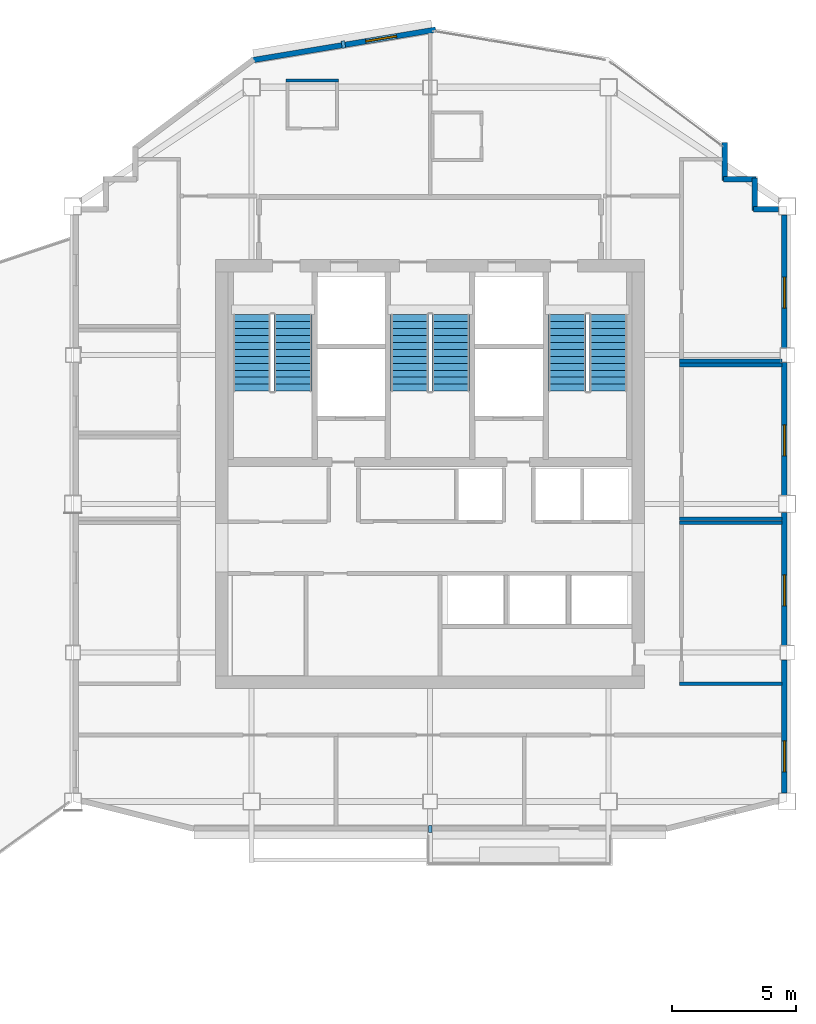
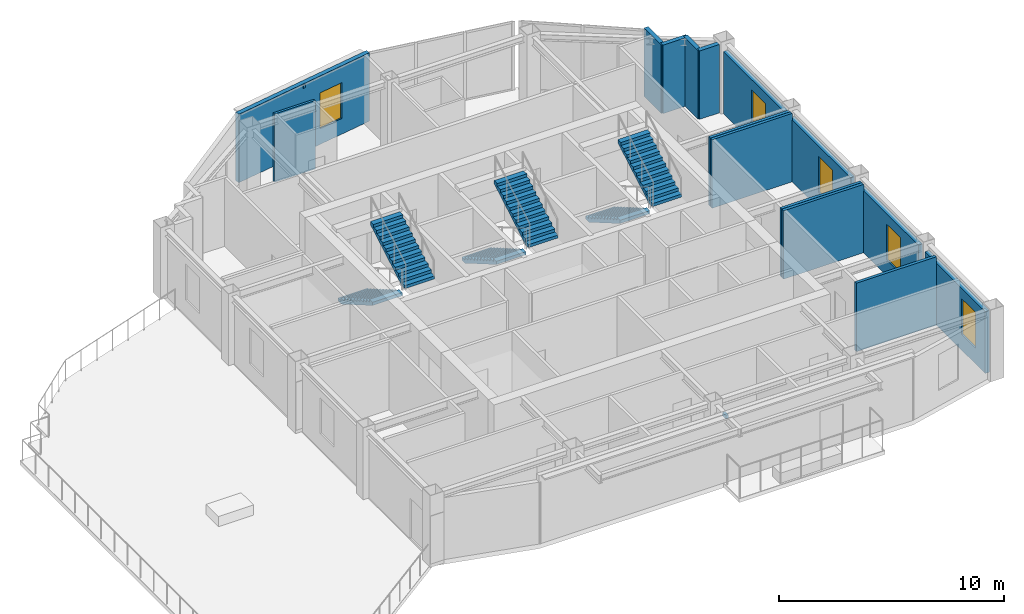
# One storey, part 10 of 12: 15 walls, 6 stair flights, 5 windows, 2 discrete accessories, 5 openings, 3 elements without a shape of their own.
"""IFC4 building model written with IfcOpenShell, lengths in metres."""

from ifc_helpers import new_model, si_unit, direction, frame, frame_2d, origin, origin_2d, place, context, subcontext, project, spatial, polyline, rectangle, outline, extrude, material, layer, layer_set, type_object, element, fill, aggregate, save


model = new_model("IFC4")

# Units and contexts
model_context = context("Model", 3, precision=1e-05, world=origin(), true_north=direction((0.0, 1.0)))
body_context = subcontext(model_context, "Body", "Model", "MODEL_VIEW")
ifc_project = project(units=[si_unit("LENGTHUNIT", "METRE"), si_unit("AREAUNIT", "SQUARE_METRE"), si_unit("VOLUMEUNIT", "CUBIC_METRE"), si_unit("PLANEANGLEUNIT", "RADIAN"), si_unit("MASSUNIT", "GRAM", prefix="KILO")], contexts=[model_context])

# Site, building, storey
site_placement = place(None, origin())
site = spatial("IfcSite", under=ifc_project, at=site_placement, CompositionType="ELEMENT")
building_placement = place(site_placement, origin())
building = spatial("IfcBuilding", under=site, at=building_placement, Name="Haolan Belvedere Tower", CompositionType="ELEMENT")
storey_placement = place(building_placement, frame((0.0, 0.0, 282.199951171875)))
storey = spatial("IfcBuildingStorey", under=building, at=storey_placement, Name="L71", CompositionType="ELEMENT", Elevation=282.199951171875)

# Wall, opening, window
ifc_material_1 = material(Name="Precast concrete C40/50", Category="concrete")
ifc_layer_1 = layer(ifc_material_1, 0.219970703125, Name="Precast concrete C40/50")
ifc_layer_set_1 = layer_set([ifc_layer_1], Name="Precast concrete C40/50")
wall_type_1 = type_object("IfcWallType", Name="WL-EXT-220", PredefinedType="SOLIDWALL", material=ifc_layer_set_1)
wall_1_placement = place(storey_placement, frame((52.68994140625, 21.94189453125, 0.0), z_axis=(0.0, 0.0, 1.0), x_axis=(0.0, 1.0, 0.0)))
wall_1 = element("IfcWall", 1, at=wall_1_placement, inside=storey, type_object=wall_type_1, Name="L71 pale-metal exterior spandrel wall 3.1", PredefinedType="SOLIDWALL", context=body_context, shape_type="SweptSolid", body=[
    extrude(rectangle(XDim=5.3662109375, YDim=0.219970703125, at=frame_2d((2.68310546875, 0.0))), origin(), (0.0, 0.0, 1.0), 3.364990234375),
])
opening_1_placement = place(wall_1_placement, frame((0.85302734375, 0.0, 0.85009765625)))
opening_1 = element("IfcOpeningElement", 2, at=opening_1_placement, cuts=wall_1, Name="Opening W-04", PredefinedType="OPENING", context=body_context, shape_type="SweptSolid", body=[
    extrude(rectangle(XDim=1.25, YDim=1.949951171875, at=frame_2d((0.625, 0.97509765625))), frame((0.0, 0.119873046875, 0.0), z_axis=(0.0, -1.0, 0.0), x_axis=(1.0, 0.0, 0.0)), (0.0, 0.0, 1.0), 0.239990234375),
])
ifc_material_2 = material(Name="Anodised aluminium 6063-T6 and Low-E glass", Category="aluminium")
window_type = type_object("IfcWindowType", Name="WN-DECO-Z4", PartitioningType="SINGLE_PANEL", PredefinedType="WINDOW", material=ifc_material_2)
window_1_placement = place(opening_1_placement, origin())
window_1 = element("IfcWindow", 3, at=window_1_placement, inside=storey, type_object=window_type, Name="L71 Art Deco chevron window 1", OverallHeight=1.949951171875, OverallWidth=1.25, PartitioningType="SINGLE_PANEL", PredefinedType="WINDOW", context=body_context, shape_type="SweptSolid", body=[
    extrude(rectangle(XDim=1.25, YDim=1.949951171875, at=frame_2d((0.625, 0.97509765625))), frame((0.0, 0.030029296875, 0.0), z_axis=(0.0, -1.0, 0.0), x_axis=(1.0, 0.0, 0.0)), (0.0, 0.0, 1.0), 0.06005859375),
])
fill(opening_1, window_1)

wall_2_placement = place(storey_placement, frame((52.68994140625, 27.89208984375, 0.0), z_axis=(0.0, 0.0, 1.0), x_axis=(0.0, 1.0, 0.0)))
wall_2 = element("IfcWall", 4, at=wall_2_placement, inside=storey, type_object=wall_type_1, Name="L71 pale-metal exterior spandrel wall 3.2", PredefinedType="SOLIDWALL", context=body_context, shape_type="SweptSolid", body=[
    extrude(rectangle(XDim=5.365966796875, YDim=0.219970703125, at=frame_2d((2.68310546875, 0.0))), origin(), (0.0, 0.0, 1.0), 3.364990234375),
])
opening_2_placement = place(wall_2_placement, frame((1.60009765625, 0.0, 0.85009765625)))
opening_2 = element("IfcOpeningElement", 5, at=opening_2_placement, cuts=wall_2, Name="Opening W-04", PredefinedType="OPENING", context=body_context, shape_type="SweptSolid", body=[
    extrude(rectangle(XDim=1.25, YDim=1.949951171875, at=frame_2d((0.625, 0.97509765625))), frame((0.0, 0.119873046875, 0.0), z_axis=(0.0, -1.0, 0.0), x_axis=(1.0, 0.0, 0.0)), (0.0, 0.0, 1.0), 0.239990234375),
])
window_2_placement = place(opening_2_placement, origin())
window_2 = element("IfcWindow", 6, at=window_2_placement, inside=storey, type_object=window_type, Name="L71 Art Deco chevron window 1", OverallHeight=1.949951171875, OverallWidth=1.25, PartitioningType="SINGLE_PANEL", PredefinedType="WINDOW", context=body_context, shape_type="SweptSolid", body=[
    extrude(rectangle(XDim=1.25, YDim=1.949951171875, at=frame_2d((0.625, 0.97509765625))), frame((0.0, 0.030029296875, 0.0), z_axis=(0.0, -1.0, 0.0), x_axis=(1.0, 0.0, 0.0)), (0.0, 0.0, 1.0), 0.06005859375),
])
fill(opening_2, window_2)

wall_3_placement = place(storey_placement, frame((52.68994140625, 33.94189453125, 0.0), z_axis=(0.0, 0.0, 1.0), x_axis=(0.0, 1.0, 0.0)))
wall_3 = element("IfcWall", 7, at=wall_3_placement, inside=storey, type_object=wall_type_1, Name="L71 pale-metal exterior spandrel wall 3.3", PredefinedType="SOLIDWALL", context=body_context, shape_type="SweptSolid", body=[
    extrude(rectangle(XDim=5.3662109375, YDim=0.219970703125, at=frame_2d((2.68310546875, 0.0))), origin(), (0.0, 0.0, 1.0), 3.364990234375),
])
opening_3_placement = place(wall_3_placement, frame((1.60009765625, 0.0, 0.85009765625)))
opening_3 = element("IfcOpeningElement", 8, at=opening_3_placement, cuts=wall_3, Name="Opening W-04", PredefinedType="OPENING", context=body_context, shape_type="SweptSolid", body=[
    extrude(rectangle(XDim=1.25, YDim=1.949951171875, at=frame_2d((0.625, 0.97509765625))), frame((0.0, 0.119873046875, 0.0), z_axis=(0.0, -1.0, 0.0), x_axis=(1.0, 0.0, 0.0)), (0.0, 0.0, 1.0), 0.239990234375),
])
window_3_placement = place(opening_3_placement, origin())
window_3 = element("IfcWindow", 9, at=window_3_placement, inside=storey, type_object=window_type, Name="L71 Art Deco chevron window 1", OverallHeight=1.949951171875, OverallWidth=1.25, PartitioningType="SINGLE_PANEL", PredefinedType="WINDOW", context=body_context, shape_type="SweptSolid", body=[
    extrude(rectangle(XDim=1.25, YDim=1.949951171875, at=frame_2d((0.625, 0.97509765625))), frame((0.0, 0.030029296875, 0.0), z_axis=(0.0, -1.0, 0.0), x_axis=(1.0, 0.0, 0.0)), (0.0, 0.0, 1.0), 0.06005859375),
])
fill(opening_3, window_3)

wall_4_placement = place(storey_placement, frame((52.68994140625, 39.89208984375, 0.0), z_axis=(0.0, 0.0, 1.0), x_axis=(0.0, 1.0, 0.0)))
wall_4 = element("IfcWall", 10, at=wall_4_placement, inside=storey, type_object=wall_type_1, Name="L71 pale-metal exterior spandrel wall 3.4", PredefinedType="SOLIDWALL", context=body_context, shape_type="SweptSolid", body=[
    extrude(rectangle(XDim=5.365966796875, YDim=0.219970703125, at=frame_2d((2.68310546875, 0.0))), origin(), (0.0, 0.0, 1.0), 3.364990234375),
])
opening_4_placement = place(wall_4_placement, frame((1.60009765625, 0.0, 0.85009765625)))
opening_4 = element("IfcOpeningElement", 11, at=opening_4_placement, cuts=wall_4, Name="Opening W-04", PredefinedType="OPENING", context=body_context, shape_type="SweptSolid", body=[
    extrude(rectangle(XDim=1.25, YDim=1.949951171875, at=frame_2d((0.625, 0.97509765625))), frame((0.0, 0.119873046875, 0.0), z_axis=(0.0, -1.0, 0.0), x_axis=(1.0, 0.0, 0.0)), (0.0, 0.0, 1.0), 0.239990234375),
])
window_4_placement = place(opening_4_placement, origin())
window_4 = element("IfcWindow", 12, at=window_4_placement, inside=storey, type_object=window_type, Name="L71 Art Deco chevron window 1", OverallHeight=1.949951171875, OverallWidth=1.25, PartitioningType="SINGLE_PANEL", PredefinedType="WINDOW", context=body_context, shape_type="SweptSolid", body=[
    extrude(rectangle(XDim=1.25, YDim=1.949951171875, at=frame_2d((0.625, 0.97509765625))), frame((0.0, 0.030029296875, 0.0), z_axis=(0.0, -1.0, 0.0), x_axis=(1.0, 0.0, 0.0)), (0.0, 0.0, 1.0), 0.06005859375),
])
fill(opening_4, window_4)

# Walls
wall_5_placement = place(storey_placement, frame((52.4580078125, 45.489990234375, 0.0), z_axis=(0.0, 0.0, 1.0), x_axis=(-1.0, 0.0, 0.0)))
element("IfcWall", 13, at=wall_5_placement, inside=storey, type_object=wall_type_1, Name="L71 pale-metal exterior spandrel wall 4.1", PredefinedType="SOLIDWALL", context=body_context, shape_type="SweptSolid", body=[
    extrude(rectangle(XDim=1.02294921875, YDim=0.219970703125, at=frame_2d((0.511474609375, 0.0))), origin(), (0.0, 0.0, 1.0), 3.719970703125),
])
wall_6_placement = place(storey_placement, frame((51.489990234375, 45.43505859375, 0.0), z_axis=(0.0, 0.0, 1.0), x_axis=(0.0, 1.0, 0.0)))
element("IfcWall", 14, at=wall_6_placement, inside=storey, type_object=wall_type_1, Name="L71 pale-metal exterior spandrel wall 5.1", PredefinedType="SOLIDWALL", context=body_context, shape_type="SweptSolid", body=[
    extrude(rectangle(XDim=1.31005859375, YDim=0.219970703125, at=frame_2d((0.655029296875, 0.0))), origin(), (0.0, 0.0, 1.0), 3.719970703125),
])
wall_7_placement = place(storey_placement, frame((51.544921875, 46.68994140625, 0.0), z_axis=(0.0, 0.0, 1.0), x_axis=(-1.0, 0.0, 0.0)))
element("IfcWall", 15, at=wall_7_placement, inside=storey, type_object=wall_type_1, Name="L71 pale-metal exterior spandrel wall 6.1", PredefinedType="SOLIDWALL", context=body_context, shape_type="SweptSolid", body=[
    extrude(rectangle(XDim=1.309814453125, YDim=0.219970703125, at=frame_2d((0.65478515625, 0.0))), origin(), (0.0, 0.0, 1.0), 3.719970703125),
])
wall_8_placement = place(storey_placement, frame((50.2900390625, 46.635009765625, 0.0), z_axis=(0.0, 0.0, 1.0), x_axis=(0.0, 1.0, 0.0)))
element("IfcWall", 16, at=wall_8_placement, inside=storey, type_object=wall_type_1, Name="L71 pale-metal exterior spandrel wall 7.1", PredefinedType="SOLIDWALL", context=body_context, shape_type="SweptSolid", body=[
    extrude(rectangle(XDim=1.534912109375, YDim=0.219970703125, at=frame_2d((0.767578125, 0.0))), origin(), (0.0, 0.0, 1.0), 3.719970703125),
])

# Wall, opening, window
wall_9_placement = place(storey_placement, frame((38.621826171875, 52.7255859375, 0.0), z_axis=(0.0, 0.0, 1.0), x_axis=(-0.986390420428, -0.164420006349, 0.0)))
wall_9 = element("IfcWall", 17, at=wall_9_placement, inside=storey, type_object=wall_type_1, Name="L71 pale-metal exterior spandrel wall 10.1", PredefinedType="SOLIDWALL", context=body_context, shape_type="SweptSolid", body=[
    extrude(rectangle(XDim=7.5341796875, YDim=0.219970703125, at=frame_2d((3.76708984375, 0.0))), origin(), (0.0, 0.0, 1.0), 3.719970703125),
])
opening_5_placement = place(wall_9_placement, frame((1.60009765625, 0.0, 0.85009765625)))
opening_5 = element("IfcOpeningElement", 18, at=opening_5_placement, cuts=wall_9, Name="Opening W-04", PredefinedType="OPENING", context=body_context, shape_type="SweptSolid", body=[
    extrude(rectangle(XDim=1.25, YDim=1.949951171875, at=frame_2d((0.625, 0.97509765625))), frame((0.0, 0.119873046875, 0.0), z_axis=(0.0, -1.0, 0.0), x_axis=(1.0, 0.0, 0.0)), (0.0, 0.0, 1.0), 0.239990234375),
])
window_5_placement = place(opening_5_placement, origin())
window_5 = element("IfcWindow", 19, at=window_5_placement, inside=storey, type_object=window_type, Name="L71 Art Deco chevron window 1", OverallHeight=1.949951171875, OverallWidth=1.25, PartitioningType="SINGLE_PANEL", PredefinedType="WINDOW", context=body_context, shape_type="SweptSolid", body=[
    extrude(rectangle(XDim=1.25, YDim=1.949951171875, at=frame_2d((0.625, 0.97509765625))), frame((0.0, 0.030029296875, 0.0), z_axis=(0.0, -1.0, 0.0), x_axis=(1.0, 0.0, 0.0)), (0.0, 0.0, 1.0), 0.06005859375),
])
fill(opening_5, window_5)

# Walls
ifc_material_3 = material(Name="Double gypsum acoustic stud partition", Category="masonry")
ifc_layer_2 = layer(ifc_material_3, 0.14990234375, Name="Double gypsum acoustic stud partition")
ifc_layer_set_2 = layer_set([ifc_layer_2], Name="Double gypsum acoustic stud partition")
wall_type_2 = type_object("IfcWallType", Name="WL-PART-150", PredefinedType="PARTITIONING", material=ifc_layer_set_2)
for number, where, z_axis, x_axis, name in (
    (20, (48.4599609375, 39.199951171875, 0.0), (0.0, 0.0, 1.0), (1.0, 0.0, 0.0), "L71 interior partition IW-L71-HSK-N"),
    (21, (48.4599609375, 33.0, 0.0), (0.0, 0.0, 1.0), (1.0, 0.0, 0.0), "L71 interior partition IW-L71-HSK-S"),
    (22, (48.4599609375, 39.360107421875, 0.0), (0.0, 0.0, 1.0), (1.0, 0.0, 0.0), "L71 interior partition IW-L71-MTG-S"),
    (23, (48.4599609375, 32.840087890625, 0.0), (0.0, 0.0, 1.0), (1.0, 0.0, 0.0), "L71 interior partition IW-L71-PKTE-N"),
    (24, (48.4599609375, 26.35009765625, 0.0), (0.0, 0.0, 1.0), (1.0, 0.0, 0.0), "L71 interior partition IW-L71-PKTE-S"),
):
    element("IfcWall", number, at=place(storey_placement, frame(where, z_axis=z_axis, x_axis=x_axis)), inside=storey, type_object=wall_type_2, Name=name, PredefinedType="PARTITIONING", context=body_context, shape_type="SweptSolid", body=[
        extrude(rectangle(XDim=4.1279296875, YDim=0.14990234375, at=frame_2d((2.06396484375, 0.0))), origin(), (0.0, 0.0, 1.0), 3.719970703125),
    ])
ifc_material_4 = material(Name="Moisture-resistant gypsum tile partition", Category="masonry")
ifc_layer_3 = layer(ifc_material_4, 0.1201171875, Name="Moisture-resistant gypsum tile partition")
ifc_layer_set_3 = layer_set([ifc_layer_3], Name="Moisture-resistant gypsum tile partition")
wall_type_3 = type_object("IfcWallType", Name="WL-WET-120", PredefinedType="PARTITIONING", material=ifc_layer_set_3)
wall_10_placement = place(storey_placement, frame((32.595947265625, 50.666015625, 0.0), z_axis=(0.0, 0.0, 1.0), x_axis=(1.0, 0.0, 0.0)))
element("IfcWall", 25, at=wall_10_placement, inside=storey, type_object=wall_type_3, Name="L71 interior partition IW-L71-KN1-BN", PredefinedType="PARTITIONING", context=body_context, shape_type="SweptSolid", body=[
    extrude(rectangle(XDim=2.10009765625, YDim=0.1201171875, at=frame_2d((1.050048828125, 0.0))), origin(), (0.0, 0.0, 1.0), 3.719970703125),
])

# Stair, stair flights
ifc_material_5 = material(Name="Concrete C40/50", Category="concrete")
stair_type = type_object("IfcStairType", Name="STR-DL-24R-163", PredefinedType="HALF_TURN_STAIR", material=ifc_material_5)
stair_1_placement = place(storey_placement, origin())
stair_1 = element("IfcStair", 26, at=stair_1_placement, inside=storey, type_object=stair_type, Name="L71 Smokeproof Core Exit Stair ST1", PredefinedType="HALF_TURN_STAIR")
stair_flight_type = type_object("IfcStairFlightType", Name="SFL-DL-12R-163", PredefinedType="STRAIGHT", material=ifc_material_5)
stair_flight_1_placement = place(storey_placement, frame((31.2099609375, 41.22998046875, 0.0), z_axis=(0.0, 0.0, 1.0), x_axis=(0.0, -1.0, 0.0)))
stair_flight_1 = element("IfcStairFlight", 27, at=stair_flight_1_placement, type_object=stair_flight_type, Name="ST1 flight 1", NumberOfRisers=12, NumberOfTreads=11, PredefinedType="STRAIGHT", RiserHeight=0.1625, TreadLength=0.28, context=body_context, shape_type="SweptSolid", body=[
    extrude(outline(polyline([(0.0, 0.0), (0.0, 0.16259765625), (0.280029296875, 0.16259765625), (0.280029296875, 0.324951171875), (0.56005859375, 0.324951171875), (0.56005859375, 0.487548828125), (0.840087890625, 0.487548828125), (0.840087890625, 0.64990234375), (1.1201171875, 0.64990234375), (1.1201171875, 0.8125), (1.39990234375, 0.8125), (1.39990234375, 0.97509765625), (1.679931640625, 0.97509765625), (1.679931640625, 1.137451171875), (1.9599609375, 1.137451171875), (1.9599609375, 1.300048828125), (2.239990234375, 1.300048828125), (2.239990234375, 1.46240234375), (2.52001953125, 1.46240234375), (2.52001953125, 1.625), (2.800048828125, 1.625), (2.800048828125, 1.78759765625), (3.080078125, 1.78759765625), (3.080078125, 1.949951171875), (3.080078125, 1.6142578125), (0.298583984375, 0.0), (0.0, 0.0)])), frame((0.0, 0.760009765625, 0.0), z_axis=(0.0, -1.0, 0.0), x_axis=(1.0, 0.0, 0.0)), (0.0, 0.0, 1.0), 1.52001953125),
])
stair_flight_2_placement = place(storey_placement, frame((32.8701171875, 38.14990234375, 1.949951171875), z_axis=(0.0, 0.0, 1.0), x_axis=(0.0, 1.0, 0.0)))
stair_flight_2 = element("IfcStairFlight", 28, at=stair_flight_2_placement, type_object=stair_flight_type, Name="ST1 flight 2", NumberOfRisers=12, NumberOfTreads=11, PredefinedType="STRAIGHT", RiserHeight=0.1625, TreadLength=0.28, context=body_context, shape_type="SweptSolid", body=[
    extrude(outline(polyline([(0.0, 0.0), (0.0, 0.16259765625), (0.280029296875, 0.16259765625), (0.280029296875, 0.324951171875), (0.56005859375, 0.324951171875), (0.56005859375, 0.487548828125), (0.840087890625, 0.487548828125), (0.840087890625, 0.64990234375), (1.1201171875, 0.64990234375), (1.1201171875, 0.8125), (1.39990234375, 0.8125), (1.39990234375, 0.97509765625), (1.679931640625, 0.97509765625), (1.679931640625, 1.137451171875), (1.9599609375, 1.137451171875), (1.9599609375, 1.300048828125), (2.239990234375, 1.300048828125), (2.239990234375, 1.46240234375), (2.52001953125, 1.46240234375), (2.52001953125, 1.625), (2.800048828125, 1.625), (2.800048828125, 1.78759765625), (3.080078125, 1.78759765625), (3.080078125, 1.949951171875), (3.080078125, 1.6142578125), (0.298583984375, 0.0), (0.0, 0.0)])), frame((0.0, 0.760009765625, 0.0), z_axis=(0.0, -1.0, 0.0), x_axis=(1.0, 0.0, 0.0)), (0.0, 0.0, 1.0), 1.52001953125),
])
aggregate(stair_1, [stair_flight_1, stair_flight_2])

stair_2_placement = place(storey_placement, origin())
stair_2 = element("IfcStair", 29, at=stair_2_placement, inside=storey, type_object=stair_type, Name="L71 Smokeproof Core Exit Stair ST3", PredefinedType="HALF_TURN_STAIR")
stair_flight_3_placement = place(storey_placement, frame((37.570068359375, 41.22998046875, 0.0), z_axis=(0.0, 0.0, 1.0), x_axis=(0.0, -1.0, 0.0)))
stair_flight_3 = element("IfcStairFlight", 30, at=stair_flight_3_placement, type_object=stair_flight_type, Name="ST3 flight 1", NumberOfRisers=12, NumberOfTreads=11, PredefinedType="STRAIGHT", RiserHeight=0.1625, TreadLength=0.28, context=body_context, shape_type="SweptSolid", body=[
    extrude(outline(polyline([(0.0, 0.0), (0.0, 0.16259765625), (0.280029296875, 0.16259765625), (0.280029296875, 0.324951171875), (0.56005859375, 0.324951171875), (0.56005859375, 0.487548828125), (0.840087890625, 0.487548828125), (0.840087890625, 0.64990234375), (1.1201171875, 0.64990234375), (1.1201171875, 0.8125), (1.39990234375, 0.8125), (1.39990234375, 0.97509765625), (1.679931640625, 0.97509765625), (1.679931640625, 1.137451171875), (1.9599609375, 1.137451171875), (1.9599609375, 1.300048828125), (2.239990234375, 1.300048828125), (2.239990234375, 1.46240234375), (2.52001953125, 1.46240234375), (2.52001953125, 1.625), (2.800048828125, 1.625), (2.800048828125, 1.78759765625), (3.080078125, 1.78759765625), (3.080078125, 1.949951171875), (3.080078125, 1.6142578125), (0.298583984375, 0.0), (0.0, 0.0)])), frame((0.0, 0.760009765625, 0.0), z_axis=(0.0, -1.0, 0.0), x_axis=(1.0, 0.0, 0.0)), (0.0, 0.0, 1.0), 1.52001953125),
])
stair_flight_4_placement = place(storey_placement, frame((39.22998046875, 38.14990234375, 1.949951171875), z_axis=(0.0, 0.0, 1.0), x_axis=(0.0, 1.0, 0.0)))
stair_flight_4 = element("IfcStairFlight", 31, at=stair_flight_4_placement, type_object=stair_flight_type, Name="ST3 flight 2", NumberOfRisers=12, NumberOfTreads=11, PredefinedType="STRAIGHT", RiserHeight=0.1625, TreadLength=0.28, context=body_context, shape_type="SweptSolid", body=[
    extrude(outline(polyline([(0.0, 0.0), (0.0, 0.16259765625), (0.280029296875, 0.16259765625), (0.280029296875, 0.324951171875), (0.56005859375, 0.324951171875), (0.56005859375, 0.487548828125), (0.840087890625, 0.487548828125), (0.840087890625, 0.64990234375), (1.1201171875, 0.64990234375), (1.1201171875, 0.8125), (1.39990234375, 0.8125), (1.39990234375, 0.97509765625), (1.679931640625, 0.97509765625), (1.679931640625, 1.137451171875), (1.9599609375, 1.137451171875), (1.9599609375, 1.300048828125), (2.239990234375, 1.300048828125), (2.239990234375, 1.46240234375), (2.52001953125, 1.46240234375), (2.52001953125, 1.625), (2.800048828125, 1.625), (2.800048828125, 1.78759765625), (3.080078125, 1.78759765625), (3.080078125, 1.949951171875), (3.080078125, 1.6142578125), (0.298583984375, 0.0), (0.0, 0.0)])), frame((0.0, 0.760009765625, 0.0), z_axis=(0.0, -1.0, 0.0), x_axis=(1.0, 0.0, 0.0)), (0.0, 0.0, 1.0), 1.52001953125),
])
aggregate(stair_2, [stair_flight_3, stair_flight_4])

stair_3_placement = place(storey_placement, origin())
stair_3 = element("IfcStair", 32, at=stair_3_placement, inside=storey, type_object=stair_type, Name="L71 Smokeproof Core Exit Stair ST2", PredefinedType="HALF_TURN_STAIR")
stair_flight_5_placement = place(storey_placement, frame((43.929931640625, 41.22998046875, 0.0), z_axis=(0.0, 0.0, 1.0), x_axis=(0.0, -1.0, 0.0)))
stair_flight_5 = element("IfcStairFlight", 33, at=stair_flight_5_placement, type_object=stair_flight_type, Name="ST2 flight 1", NumberOfRisers=12, NumberOfTreads=11, PredefinedType="STRAIGHT", RiserHeight=0.1625, TreadLength=0.28, context=body_context, shape_type="SweptSolid", body=[
    extrude(outline(polyline([(0.0, 0.0), (0.0, 0.16259765625), (0.280029296875, 0.16259765625), (0.280029296875, 0.324951171875), (0.56005859375, 0.324951171875), (0.56005859375, 0.487548828125), (0.840087890625, 0.487548828125), (0.840087890625, 0.64990234375), (1.1201171875, 0.64990234375), (1.1201171875, 0.8125), (1.39990234375, 0.8125), (1.39990234375, 0.97509765625), (1.679931640625, 0.97509765625), (1.679931640625, 1.137451171875), (1.9599609375, 1.137451171875), (1.9599609375, 1.300048828125), (2.239990234375, 1.300048828125), (2.239990234375, 1.46240234375), (2.52001953125, 1.46240234375), (2.52001953125, 1.625), (2.800048828125, 1.625), (2.800048828125, 1.78759765625), (3.080078125, 1.78759765625), (3.080078125, 1.949951171875), (3.080078125, 1.6142578125), (0.298583984375, 0.0), (0.0, 0.0)])), frame((0.0, 0.760009765625, 0.0), z_axis=(0.0, -1.0, 0.0), x_axis=(1.0, 0.0, 0.0)), (0.0, 0.0, 1.0), 1.52001953125),
])
stair_flight_6_placement = place(storey_placement, frame((45.590087890625, 38.14990234375, 1.949951171875), z_axis=(0.0, 0.0, 1.0), x_axis=(0.0, 1.0, 0.0)))
stair_flight_6 = element("IfcStairFlight", 34, at=stair_flight_6_placement, type_object=stair_flight_type, Name="ST2 flight 2", NumberOfRisers=12, NumberOfTreads=11, PredefinedType="STRAIGHT", RiserHeight=0.1625, TreadLength=0.28, context=body_context, shape_type="SweptSolid", body=[
    extrude(outline(polyline([(0.0, 0.0), (0.0, 0.16259765625), (0.280029296875, 0.16259765625), (0.280029296875, 0.324951171875), (0.56005859375, 0.324951171875), (0.56005859375, 0.487548828125), (0.840087890625, 0.487548828125), (0.840087890625, 0.64990234375), (1.1201171875, 0.64990234375), (1.1201171875, 0.8125), (1.39990234375, 0.8125), (1.39990234375, 0.97509765625), (1.679931640625, 0.97509765625), (1.679931640625, 1.137451171875), (1.9599609375, 1.137451171875), (1.9599609375, 1.300048828125), (2.239990234375, 1.300048828125), (2.239990234375, 1.46240234375), (2.52001953125, 1.46240234375), (2.52001953125, 1.625), (2.800048828125, 1.625), (2.800048828125, 1.78759765625), (3.080078125, 1.78759765625), (3.080078125, 1.949951171875), (3.080078125, 1.6142578125), (0.298583984375, 0.0), (0.0, 0.0)])), frame((0.0, 0.760009765625, 0.0), z_axis=(0.0, -1.0, 0.0), x_axis=(1.0, 0.0, 0.0)), (0.0, 0.0, 1.0), 1.52001953125),
])
aggregate(stair_3, [stair_flight_5, stair_flight_6])

# Discrete accessories
ifc_material_6 = material(Name="Stainless steel 316L", Category="steel")
discrete_accessory_type = type_object("IfcDiscreteAccessoryType", Name="ACC-BRK-SUN", PredefinedType="BRACKET", material=ifc_material_6)
for number, where, z_axis, x_axis, name in (
    (35, (38.39990234375, 20.489990234375, 3.490234375), (0.0, 0.0, 1.0), (1.0, 0.0, 0.0), "L71 sunshade support bracket 1.1"),
    (36, (34.90283203125, 52.1259765625, 3.490234375), (0.0, 0.0, 1.0), (-0.986394848329, -0.164393440227, 0.0), "L71 sunshade support bracket 10.1"),
):
    element("IfcDiscreteAccessory", number, at=place(storey_placement, frame(where, z_axis=z_axis, x_axis=x_axis)), inside=storey, type_object=discrete_accessory_type, Name=name, PredefinedType="BRACKET", context=body_context, shape_type="SweptSolid", body=[
        extrude(rectangle(XDim=0.139892578125, YDim=0.300048828125, at=origin_2d()), origin(), (0.0, 0.0, 1.0), 0.179931640625),
    ])

save(model, "model.ifc")
